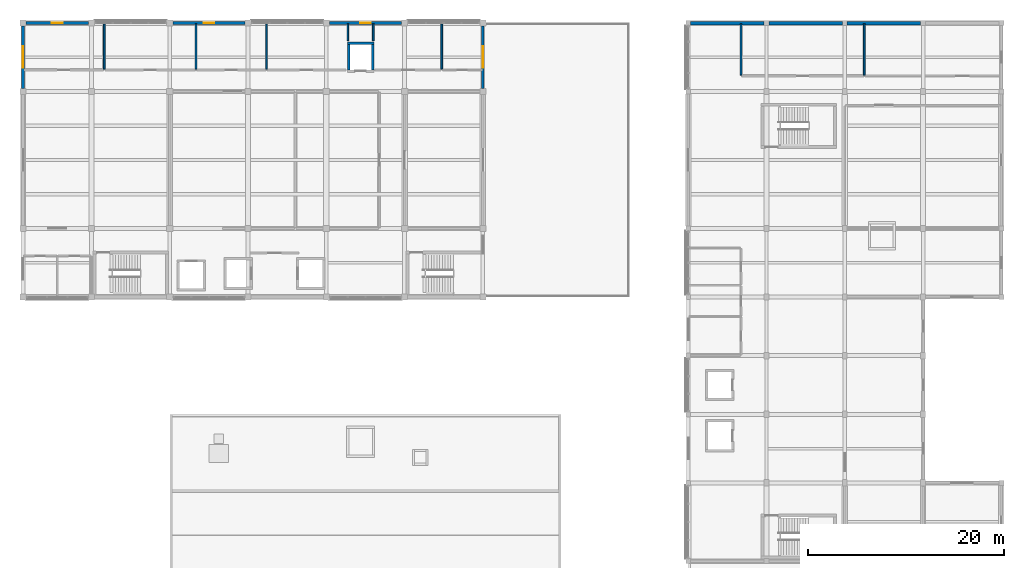
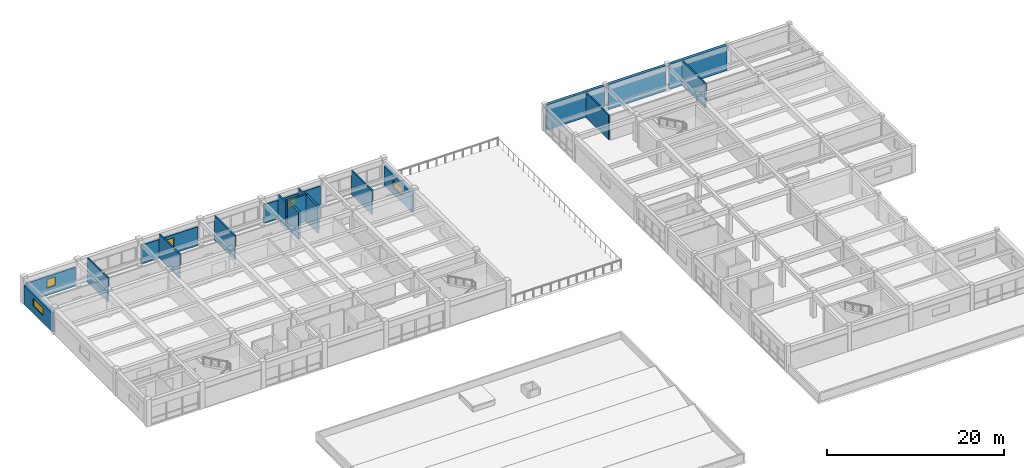
# One storey, part 15 of 22: 19 walls, 5 windows, 5 openings.
"""IFC4 building model written with IfcOpenShell, lengths in metres."""

import ifcopenshell
import ifcopenshell.guid

model = None  # the IFC model being written
_history = None  # IfcOwnerHistory: only IFC2X3 demands one
_inside = {}  # id of a spatial element -> (the spatial element, [elements in it])
_under = {}  # id of a project, library or spatial element -> (it, [spatial elements below it])
_declared = {}  # id of a project -> (the project, [libraries it declares])
_typed = {}  # id of a type object -> (the type object, [elements of that type])
_made_of = {}  # id of a material, layer set ... -> (it, [elements and type objects made of it])


def new_model(schema):
    """Start an empty IFC model of exactly this schema.

    Asked for "IFC4X3", IfcOpenShell would pick the latest addendum, in which some entities
    have other attributes; the version numbers below select the first issue.
    IFC2X3 requires an IfcOwnerHistory on every rooted entity: one is made here for all.
    """
    global model, _history
    if schema == "IFC4X3":
        model = ifcopenshell.file(schema_version=(4, 3, 0, 0))
    else:
        model = ifcopenshell.file(schema=schema)
    _inside.clear()
    _under.clear()
    _declared.clear()
    _typed.clear()
    _made_of.clear()
    _history = None
    if model.schema == "IFC2X3":
        org = make("IfcOrganization", Name="unknown")
        user = make(
            "IfcPersonAndOrganization",
            ThePerson=make("IfcPerson", FamilyName="unknown"),
            TheOrganization=org,
        )
        app = make(
            "IfcApplication",
            ApplicationDeveloper=org,
            Version="unknown",
            ApplicationFullName="unknown",
            ApplicationIdentifier="unknown",
        )
        _history = make(
            "IfcOwnerHistory",
            OwningUser=user,
            OwningApplication=app,
            ChangeAction="ADDED",
            CreationDate=0,
        )
    return model


def make(cls, **values):
    """One entity of the class cls with the attributes given. An attribute that is None is left unset."""
    return model.create_entity(
        cls, **{name: value for name, value in values.items() if value is not None}
    )


def rooted(cls, **values):
    """An entity with a GlobalId (a new one), such as an element, a storey or a relation."""
    return make(cls, GlobalId=ifcopenshell.guid.new(), OwnerHistory=_history, **values)


def si_unit(unit_type, name, prefix=None):
    """IfcSIUnit, for example si_unit("LENGTHUNIT", "METRE", prefix="MILLI")."""
    return make("IfcSIUnit", UnitType=unit_type, Prefix=prefix, Name=name)


def assignment(units):
    """IfcUnitAssignment: the units of a project."""
    return None if units is None else make("IfcUnitAssignment", Units=units)


def point(xyz):
    """IfcCartesianPoint."""
    return None if xyz is None else make("IfcCartesianPoint", Coordinates=xyz)


def direction(xyz):
    """IfcDirection."""
    return None if xyz is None else make("IfcDirection", DirectionRatios=xyz)


def frame(location, z_axis=None, x_axis=None):
    """IfcAxis2Placement3D, a coordinate frame: its origin and axes. An axis left out is left unset."""
    return make(
        "IfcAxis2Placement3D",
        Location=point(location),
        Axis=direction(z_axis),
        RefDirection=direction(x_axis),
    )


def frame_2d(location, x_axis=None):
    """IfcAxis2Placement2D, a coordinate frame in the plane: its origin and x axis."""
    return make(
        "IfcAxis2Placement2D", Location=point(location), RefDirection=direction(x_axis)
    )


def origin():
    """The frame at (0, 0, 0) with its axes left unset."""
    return frame((0.0, 0.0, 0.0))


def place(relative_to, where):
    """IfcLocalPlacement: puts the frame where relative to a parent placement (None: the world)."""
    return make(
        "IfcLocalPlacement", PlacementRelTo=relative_to, RelativePlacement=where
    )


def context(
    kind, dimensions, precision=None, world=None, true_north=None, identifier=None
):
    """IfcGeometricRepresentationContext, for example the 3D "Model" context."""
    return make(
        "IfcGeometricRepresentationContext",
        ContextIdentifier=identifier,
        ContextType=kind,
        CoordinateSpaceDimension=dimensions,
        Precision=precision,
        WorldCoordinateSystem=world,
        TrueNorth=true_north,
    )


def subcontext(parent, identifier, kind, view, scale=None):
    """IfcGeometricRepresentationSubContext, for example "Body" below "Model"."""
    return make(
        "IfcGeometricRepresentationSubContext",
        ContextIdentifier=identifier,
        ContextType=kind,
        ParentContext=parent,
        TargetScale=scale,
        TargetView=view,
    )


def project(units=None, contexts=None):
    """IfcProject with its units and contexts."""
    return rooted(
        "IfcProject",
        Name="project",
        RepresentationContexts=contexts,
        UnitsInContext=assignment(units),
    )


def spatial(cls, under=None, at=None, **own):
    """A site, building, storey or space (cls), placed at a placement, below another one or the project."""
    s = rooted(cls, ObjectPlacement=at, **own)
    if under is not None:
        _under.setdefault(under.id(), (under, []))[1].append(s)
    return s


def profile(cls, at=None, kind="AREA", **sizes):
    """A parametric profile (cls). Its sizes go by their IFC names, for example OverallWidth=200.0."""
    return make(cls, ProfileType=kind, Position=at, **sizes)


def rectangle(**sizes):
    """IfcRectangleProfileDef."""
    return profile("IfcRectangleProfileDef", **sizes)


def extrude(swept, where, along, depth):
    """IfcExtrudedAreaSolid: the profile swept, set in the frame where, extruded along a direction by depth."""
    return make(
        "IfcExtrudedAreaSolid",
        SweptArea=swept,
        Position=where,
        ExtrudedDirection=direction(along),
        Depth=depth,
    )


def shape(context_of_items, identifier, shape_type, items):
    """IfcShapeRepresentation: the items that make up one representation, for example the "Body"."""
    return make(
        "IfcShapeRepresentation",
        ContextOfItems=context_of_items,
        RepresentationIdentifier=identifier,
        RepresentationType=shape_type,
        Items=items,
    )


def material(Name=None, Category=None):
    """IfcMaterial."""
    return make("IfcMaterial", Name=Name, Category=Category)


def layer(
    of_material, thickness, ventilated=None, Name=None, Category=None, Priority=None
):
    """IfcMaterialLayer: one layer of a wall or slab, of a material (None: an air gap)."""
    return make(
        "IfcMaterialLayer",
        Material=of_material,
        LayerThickness=thickness,
        IsVentilated=ventilated,
        Name=Name,
        Category=Category,
        Priority=Priority,
    )


def layer_set(layers, Name=None):
    """IfcMaterialLayerSet."""
    return make("IfcMaterialLayerSet", MaterialLayers=layers, LayerSetName=Name)


def made_of(thing, what):
    """Note that an element or type object is made of a material, layer set ...; save() writes the relation."""
    if what is not None:
        _made_of.setdefault(what.id(), (what, []))[1].append(thing)
    return thing


def type_object(cls, material=None, **own):
    """A type object (cls), such as IfcWallType, which elements share."""
    return made_of(rooted(cls, **own), material)


def element(
    cls,
    number,
    at=None,
    inside=None,
    cuts=None,
    type_object=None,
    material=None,
    context=None,
    identifier="Body",
    shape_type=None,
    held_by="IfcProductDefinitionShape",
    body=None,
    shapes=None,
    **own,
):
    """One element of the class cls, such as IfcWall. Its Tag is "e" and its number.

    at: its placement. inside: the storey or other place that contains it. cuts: it is an
    opening in that element (IfcRelVoidsElement). A single representation is given by context,
    identifier, shape_type and body (its items); several are given by shapes. held_by: the class
    of the entity that holds the representations. save() writes the other relations.
    """
    e = rooted(cls, Tag="e%d" % number, ObjectPlacement=at, **own)
    if body is not None:
        shapes = [shape(context, identifier, shape_type, body)]
    if shapes is not None:
        e.Representation = make(held_by, Representations=shapes)
    if inside is not None:
        _inside.setdefault(inside.id(), (inside, []))[1].append(e)
    if cuts is not None:
        rooted(
            "IfcRelVoidsElement", RelatingBuildingElement=cuts, RelatedOpeningElement=e
        )
    if type_object is not None:
        _typed.setdefault(type_object.id(), (type_object, []))[1].append(e)
    return made_of(e, material)


def fill(opening, filler):
    """IfcRelFillsElement: the door or window that sits in an opening."""
    return rooted(
        "IfcRelFillsElement",
        RelatingOpeningElement=opening,
        RelatedBuildingElement=filler,
    )


def aggregate(whole, parts):
    """IfcRelAggregates: a whole, such as a stair, and the parts it consists of."""
    return rooted("IfcRelAggregates", RelatingObject=whole, RelatedObjects=parts)


def save(model, path):
    """Write the relations noted so far, then the file.

    IfcRelAggregates (storeys below a building ...), IfcRelContainedInSpatialStructure (elements
    in a storey), IfcRelDefinesByType, IfcRelAssociatesMaterial and IfcRelDeclares: one each for
    every whole, place, type object, material and project.
    """
    for whole, parts in _under.values():
        aggregate(whole, parts)
    for where, things in _inside.values():
        rooted(
            "IfcRelContainedInSpatialStructure",
            RelatedElements=things,
            RelatingStructure=where,
        )
    for kind, things in _typed.values():
        rooted("IfcRelDefinesByType", RelatedObjects=things, RelatingType=kind)
    for what, things in _made_of.values():
        rooted("IfcRelAssociatesMaterial", RelatedObjects=things, RelatingMaterial=what)
    for by, libraries in _declared.values():
        rooted("IfcRelDeclares", RelatingContext=by, RelatedDefinitions=libraries)
    model.write(path)


model = new_model("IFC4")

# Units and contexts
model_context = context("Model", 3, precision=1e-05, world=origin(), true_north=direction((0.0, 1.0)))
body_context = subcontext(model_context, "Body", "Model", "MODEL_VIEW")
ifc_project = project(units=[si_unit("LENGTHUNIT", "METRE"), si_unit("AREAUNIT", "SQUARE_METRE"), si_unit("VOLUMEUNIT", "CUBIC_METRE"), si_unit("PLANEANGLEUNIT", "RADIAN"), si_unit("MASSUNIT", "GRAM", prefix="KILO")], contexts=[model_context])

# Site, building, storey
site_placement = place(None, origin())
site = spatial("IfcSite", under=ifc_project, at=site_placement, CompositionType="ELEMENT")
building_placement = place(site_placement, origin())
building = spatial("IfcBuilding", under=site, at=building_placement, Name="Naurynzar Civic Courthouse", CompositionType="ELEMENT")
storey_placement = place(building_placement, frame((0.0, 0.0, 25.800048828125)))
storey = spatial("IfcBuildingStorey", under=building, at=storey_placement, Name="L07", CompositionType="ELEMENT", Elevation=25.800048828125)

# Wall, opening, window
ifc_material_1 = material(Name="Precast concrete C40/50", Category="concrete")
ifc_layer_1 = layer(ifc_material_1, 0.280029296875)
ifc_layer_set_1 = layer_set([ifc_layer_1], Name="WL-EXT-280")
wall_type_1 = type_object("IfcWallType", Name="WL-EXT-280", PredefinedType="SOLIDWALL", material=ifc_layer_set_1)
wall_1_placement = place(storey_placement, frame((62.0, 65.3125, 0.0), z_axis=(0.0, 0.0, 1.0), x_axis=(0.0, 1.0, 0.0)))
wall_1 = element("IfcWall", 1, at=wall_1_placement, inside=storey, type_object=wall_type_1, Name="V2 exterior wall west L07.3.1", PredefinedType="SOLIDWALL", context=body_context, shape_type="SweptSolid", body=[
    extrude(rectangle(XDim=6.375, YDim=0.280029296875, at=frame_2d((3.1875, 0.0))), origin(), (0.0, 0.0, 1.0), 2.599853515625),
])
opening_1_placement = place(wall_1_placement, frame((2.10791015625, 0.0, 1.0)))
opening_1 = element("IfcOpeningElement", 2, at=opening_1_placement, cuts=wall_1, Name="Opening WN-18", PredefinedType="OPENING", context=body_context, shape_type="SweptSolid", body=[
    extrude(rectangle(XDim=2.199951171875, YDim=1.0, at=frame_2d((1.10009765625, 0.5))), frame((0.0, 0.14990234375, 0.0), z_axis=(0.0, -1.0, 0.0), x_axis=(1.0, 0.0, 0.0)), (0.0, 0.0, 1.0), 0.300048828125),
])
ifc_material_2 = material(Name="Tempered Laminated Low-E Glass", Category="glass")
window_type_1 = type_object("IfcWindowType", Name="WIN-CLER-2200x1000", PartitioningType="DOUBLE_PANEL_VERTICAL", PredefinedType="WINDOW", material=ifc_material_2)
window_1_placement = place(opening_1_placement, origin())
window_1 = element("IfcWindow", 3, at=window_1_placement, inside=storey, type_object=window_type_1, Name="V2 window 108 L07", OverallHeight=1.0, OverallWidth=2.199951171875, PartitioningType="SINGLE_PANEL", PredefinedType="WINDOW", context=body_context, shape_type="SweptSolid", body=[
    extrude(rectangle(XDim=2.199951171875, YDim=1.0, at=frame_2d((1.10009765625, 0.5))), frame((0.0, 0.030029296875, 0.0), z_axis=(0.0, -1.0, 0.0), x_axis=(1.0, 0.0, 0.0)), (0.0, 0.0, 1.0), 0.06005859375),
])
fill(opening_1, window_1)

wall_2_placement = place(storey_placement, frame((62.3125, 72.0, 0.0), z_axis=(0.0, 0.0, 1.0), x_axis=(1.0, 0.0, 0.0)))
wall_2 = element("IfcWall", 4, at=wall_2_placement, inside=storey, type_object=wall_type_1, Name="V2 exterior wall north L07.1.1", PredefinedType="SOLIDWALL", context=body_context, shape_type="SweptSolid", body=[
    extrude(rectangle(XDim=6.375, YDim=0.280029296875, at=frame_2d((3.1875, 0.0))), origin(), (0.0, 0.0, 1.0), 2.599853515625),
])
opening_2_placement = place(wall_2_placement, frame((2.637451171875, 0.0, 1.0)))
opening_2 = element("IfcOpeningElement", 5, at=opening_2_placement, cuts=wall_2, Name="Opening WN-15", PredefinedType="OPENING", context=body_context, shape_type="SweptSolid", body=[
    extrude(rectangle(XDim=1.10009765625, YDim=1.199951171875, at=frame_2d((0.550048828125, 0.60009765625))), frame((0.0, 0.14990234375, 0.0), z_axis=(0.0, -1.0, 0.0), x_axis=(1.0, 0.0, 0.0)), (0.0, 0.0, 1.0), 0.300048828125),
])
ifc_material_3 = material(Name="Tempered Laminated Low-E Glass", Category="glass")
window_type_2 = type_object("IfcWindowType", Name="WIN-SEC-1100x1200", PartitioningType="SINGLE_PANEL", PredefinedType="WINDOW", material=ifc_material_3)
window_2_placement = place(opening_2_placement, origin())
window_2 = element("IfcWindow", 6, at=window_2_placement, inside=storey, type_object=window_type_2, Name="V2 window 109 L07", OverallHeight=1.199951171875, OverallWidth=1.10009765625, PartitioningType="SINGLE_PANEL", PredefinedType="WINDOW", context=body_context, shape_type="SweptSolid", body=[
    extrude(rectangle(XDim=1.10009765625, YDim=1.199951171875, at=frame_2d((0.550048828125, 0.60009765625))), frame((0.0, 0.030029296875, 0.0), z_axis=(0.0, -1.0, 0.0), x_axis=(1.0, 0.0, 0.0)), (0.0, 0.0, 1.0), 0.06005859375),
])
fill(opening_2, window_2)

wall_3_placement = place(storey_placement, frame((77.3125, 72.0, 0.0), z_axis=(0.0, 0.0, 1.0), x_axis=(1.0, 0.0, 0.0)))
wall_3 = element("IfcWall", 7, at=wall_3_placement, inside=storey, type_object=wall_type_1, Name="V2 exterior wall north L07.3.1", PredefinedType="SOLIDWALL", context=body_context, shape_type="SweptSolid", body=[
    extrude(rectangle(XDim=7.375, YDim=0.280029296875, at=frame_2d((3.6875, 0.0))), origin(), (0.0, 0.0, 1.0), 2.599853515625),
])
opening_3_placement = place(wall_3_placement, frame((3.137451171875, 0.0, 1.0)))
opening_3 = element("IfcOpeningElement", 8, at=opening_3_placement, cuts=wall_3, Name="Opening WN-15", PredefinedType="OPENING", context=body_context, shape_type="SweptSolid", body=[
    extrude(rectangle(XDim=1.10009765625, YDim=1.199951171875, at=frame_2d((0.550048828125, 0.60009765625))), frame((0.0, 0.14990234375, 0.0), z_axis=(0.0, -1.0, 0.0), x_axis=(1.0, 0.0, 0.0)), (0.0, 0.0, 1.0), 0.300048828125),
])
window_3_placement = place(opening_3_placement, origin())
window_3 = element("IfcWindow", 9, at=window_3_placement, inside=storey, type_object=window_type_2, Name="V2 window 110 L07", OverallHeight=1.199951171875, OverallWidth=1.10009765625, PartitioningType="SINGLE_PANEL", PredefinedType="WINDOW", context=body_context, shape_type="SweptSolid", body=[
    extrude(rectangle(XDim=1.10009765625, YDim=1.199951171875, at=frame_2d((0.550048828125, 0.60009765625))), frame((0.0, 0.030029296875, 0.0), z_axis=(0.0, -1.0, 0.0), x_axis=(1.0, 0.0, 0.0)), (0.0, 0.0, 1.0), 0.06005859375),
])
fill(opening_3, window_3)

wall_4_placement = place(storey_placement, frame((93.3125, 72.0, 0.0), z_axis=(0.0, 0.0, 1.0), x_axis=(1.0, 0.0, 0.0)))
wall_4 = element("IfcWall", 10, at=wall_4_placement, inside=storey, type_object=wall_type_1, Name="V2 exterior wall north L07.5.1", PredefinedType="SOLIDWALL", context=body_context, shape_type="SweptSolid", body=[
    extrude(rectangle(XDim=7.375, YDim=0.280029296875, at=frame_2d((3.6875, 0.0))), origin(), (0.0, 0.0, 1.0), 2.599853515625),
])
opening_4_placement = place(wall_4_placement, frame((3.137451171875, 0.0, 1.0)))
opening_4 = element("IfcOpeningElement", 11, at=opening_4_placement, cuts=wall_4, Name="Opening WN-15", PredefinedType="OPENING", context=body_context, shape_type="SweptSolid", body=[
    extrude(rectangle(XDim=1.10009765625, YDim=1.199951171875, at=frame_2d((0.550048828125, 0.60009765625))), frame((0.0, 0.14990234375, 0.0), z_axis=(0.0, -1.0, 0.0), x_axis=(1.0, 0.0, 0.0)), (0.0, 0.0, 1.0), 0.300048828125),
])
window_4_placement = place(opening_4_placement, origin())
window_4 = element("IfcWindow", 12, at=window_4_placement, inside=storey, type_object=window_type_2, Name="V2 window 111 L07", OverallHeight=1.199951171875, OverallWidth=1.10009765625, PartitioningType="SINGLE_PANEL", PredefinedType="WINDOW", context=body_context, shape_type="SweptSolid", body=[
    extrude(rectangle(XDim=1.10009765625, YDim=1.199951171875, at=frame_2d((0.550048828125, 0.60009765625))), frame((0.0, 0.030029296875, 0.0), z_axis=(0.0, -1.0, 0.0), x_axis=(1.0, 0.0, 0.0)), (0.0, 0.0, 1.0), 0.06005859375),
])
fill(opening_4, window_4)

wall_5_placement = place(storey_placement, frame((109.0, 71.6875, 0.0), z_axis=(0.0, 0.0, 1.0), x_axis=(0.0, -1.0, 0.0)))
wall_5 = element("IfcWall", 13, at=wall_5_placement, inside=storey, type_object=wall_type_1, Name="V2 exterior wall east L07.1.1", PredefinedType="SOLIDWALL", context=body_context, shape_type="SweptSolid", body=[
    extrude(rectangle(XDim=6.375, YDim=0.280029296875, at=frame_2d((3.1875, 0.0))), origin(), (0.0, 0.0, 1.0), 2.599853515625),
])
opening_5_placement = place(wall_5_placement, frame((2.06689453125, 0.0, 1.0)))
opening_5 = element("IfcOpeningElement", 14, at=opening_5_placement, cuts=wall_5, Name="Opening WN-18", PredefinedType="OPENING", context=body_context, shape_type="SweptSolid", body=[
    extrude(rectangle(XDim=2.199951171875, YDim=1.0, at=frame_2d((1.10009765625, 0.5))), frame((0.0, 0.14990234375, 0.0), z_axis=(0.0, -1.0, 0.0), x_axis=(1.0, 0.0, 0.0)), (0.0, 0.0, 1.0), 0.300048828125),
])
window_5_placement = place(opening_5_placement, origin())
window_5 = element("IfcWindow", 15, at=window_5_placement, inside=storey, type_object=window_type_1, Name="V2 window 112 L07", OverallHeight=1.0, OverallWidth=2.199951171875, PartitioningType="SINGLE_PANEL", PredefinedType="WINDOW", context=body_context, shape_type="SweptSolid", body=[
    extrude(rectangle(XDim=2.199951171875, YDim=1.0, at=frame_2d((1.10009765625, 0.5))), frame((0.0, 0.030029296875, 0.0), z_axis=(0.0, -1.0, 0.0), x_axis=(1.0, 0.0, 0.0)), (0.0, 0.0, 1.0), 0.06005859375),
])
fill(opening_5, window_5)

# Walls
ifc_material_4 = material(Name="Insulated Metal-Stud Gypsum Partition")
ifc_layer_2 = layer(ifc_material_4, 0.159912109375)
ifc_layer_set_2 = layer_set([ifc_layer_2], Name="WL-PART-CHAMB-160")
wall_type_2 = type_object("IfcWallType", Name="WL-PART-CHAMB-160", PredefinedType="PARTITIONING", material=ifc_layer_set_2)
for number, where, z_axis, x_axis, name in (
    (16, (79.679931640625, 67.280029296875, 0.0), (0.0, 0.0, 1.0), (0.0, 1.0, 0.0), "V2 interior partition L07.748"),
    (17, (86.89990234375, 67.280029296875, 0.0), (0.0, 0.0, 1.0), (0.0, 1.0, 0.0), "V2 interior partition L07.749"),
):
    element("IfcWall", number, at=place(storey_placement, frame(where, z_axis=z_axis, x_axis=x_axis)), inside=storey, type_object=wall_type_2, Name=name, PredefinedType="PARTITIONING", context=body_context, shape_type="SweptSolid", body=[
        extrude(rectangle(XDim=4.639892578125, YDim=0.159912109375, at=frame_2d((2.31982421875, 0.0))), origin(), (0.0, 0.0, 1.0), 3.389892578125),
    ])
for number, where, z_axis, x_axis, name in (
    (18, (95.199951171875, 70.199951171875, 0.0), (0.0, 0.0, 1.0), (0.0, 1.0, 0.0), "V2 interior partition L07.751"),
    (19, (97.800048828125, 70.199951171875, 0.0), (0.0, 0.0, 1.0), (0.0, 1.0, 0.0), "V2 interior partition L07.752"),
):
    element("IfcWall", number, at=place(storey_placement, frame(where, z_axis=z_axis, x_axis=x_axis)), inside=storey, type_object=wall_type_2, Name=name, PredefinedType="PARTITIONING", context=body_context, shape_type="SweptSolid", body=[
        extrude(rectangle(XDim=1.719970703125, YDim=0.159912109375, at=frame_2d((0.85986328125, 0.0))), origin(), (0.0, 0.0, 1.0), 3.389892578125),
    ])
wall_6_placement = place(storey_placement, frame((104.800048828125, 67.280029296875, 0.0), z_axis=(0.0, 0.0, 1.0), x_axis=(0.0, 1.0, 0.0)))
element("IfcWall", 20, at=wall_6_placement, inside=storey, type_object=wall_type_2, Name="V2 interior partition L07.755", PredefinedType="PARTITIONING", context=body_context, shape_type="SweptSolid", body=[
    extrude(rectangle(XDim=4.639892578125, YDim=0.159912109375, at=frame_2d((2.31982421875, 0.0))), origin(), (0.0, 0.0, 1.0), 3.389892578125),
])
ifc_material_5 = material(Name="Acoustic Double-Stud Gypsum Partition")
ifc_layer_3 = layer(ifc_material_5, 0.179931640625)
ifc_layer_set_3 = layer_set([ifc_layer_3], Name="WL-PART-JURY-180")
wall_type_3 = type_object("IfcWallType", Name="WL-PART-JURY-180", PredefinedType="PARTITIONING", material=ifc_layer_set_3)
wall_7_placement = place(storey_placement, frame((70.300048828125, 67.280029296875, 0.0), z_axis=(0.0, 0.0, 1.0), x_axis=(0.0, 1.0, 0.0)))
element("IfcWall", 21, at=wall_7_placement, inside=storey, type_object=wall_type_3, Name="V2 interior partition L07.746", PredefinedType="PARTITIONING", context=body_context, shape_type="SweptSolid", body=[
    extrude(rectangle(XDim=4.639892578125, YDim=0.179931640625, at=frame_2d((2.31982421875, 0.0))), origin(), (0.0, 0.0, 1.0), 3.389892578125),
])
for number, where, z_axis, x_axis, name in (
    (22, (135.39990234375, 66.679931640625, 0.0), (0.0, 0.0, 1.0), (0.0, 1.0, 0.0), "V5 interior partition L07.759"),
    (23, (148.0, 66.679931640625, 0.0), (0.0, 0.0, 1.0), (0.0, 1.0, 0.0), "V5 interior partition L07.762"),
):
    element("IfcWall", number, at=place(storey_placement, frame(where, z_axis=z_axis, x_axis=x_axis)), inside=storey, type_object=wall_type_3, Name=name, PredefinedType="PARTITIONING", context=body_context, shape_type="SweptSolid", body=[
        extrude(rectangle(XDim=5.239990234375, YDim=0.179931640625, at=frame_2d((2.6201171875, 0.0))), origin(), (0.0, 0.0, 1.0), 3.389892578125),
    ])
ifc_material_6 = material(Name="Concrete C40/50", Category="concrete")
ifc_layer_4 = layer(ifc_material_6, 0.360107421875)
ifc_layer_set_4 = layer_set([ifc_layer_4], Name="WL-PARTY-360")
wall_type_4 = type_object("IfcWallType", Name="WL-PARTY-360", PredefinedType="SOLIDWALL", material=ifc_layer_set_4)
for number, where, z_axis, x_axis, name in (
    (24, (130.25, 72.0, 0.0), (0.0, 0.0, 1.0), (1.0, 0.0, 0.0), "V5 solid seismic party wall L07 1"),
    (25, (138.25, 72.0, 0.0), (0.0, 0.0, 1.0), (1.0, 0.0, 0.0), "V5 solid seismic party wall L07 2"),
    (26, (146.25, 72.0, 0.0), (0.0, 0.0, 1.0), (1.0, 0.0, 0.0), "V5 solid seismic party wall L07 3"),
):
    element("IfcWall", number, at=place(storey_placement, frame(where, z_axis=z_axis, x_axis=x_axis)), inside=storey, type_object=wall_type_4, Name=name, PredefinedType="SOLIDWALL", context=body_context, shape_type="SweptSolid", body=[
        extrude(rectangle(XDim=7.5, YDim=0.360107421875, at=frame_2d((3.75, 0.0))), origin(), (0.0, 0.0, 1.0), 3.469970703125),
    ])
ifc_material_7 = material(Name="Concrete C40/50", Category="concrete")
ifc_layer_5 = layer(ifc_material_7, 0.25)
ifc_layer_set_5 = layer_set([ifc_layer_5], Name="WL-SHAFT-250")
wall_type_5 = type_object("IfcWallType", Name="WL-SHAFT-250", PredefinedType="SHEAR", material=ifc_layer_set_5)
wall_8_placement = place(storey_placement, frame((97.85009765625, 69.925048828125, 0.0), z_axis=(0.0, 0.0, 1.0), x_axis=(-1.0, 0.0, 0.0)))
element("IfcWall", 27, at=wall_8_placement, inside=storey, type_object=wall_type_5, Name="Lift LJ-02 shaft wall north L07", PredefinedType="SHEAR", context=body_context, shape_type="SweptSolid", body=[
    extrude(rectangle(XDim=2.7001953125, YDim=0.25, at=frame_2d((1.35009765625, 0.0))), origin(), (0.0, 0.0, 1.0), 3.75),
])
for number, where, z_axis, x_axis, name in (
    (28, (95.27490234375, 69.794921875, 0.0), (0.0, 0.0, 1.0), (0.0, -1.0, 0.0), "Lift LJ-02 shaft wall west L07"),
    (29, (97.72509765625, 67.205078125, 0.0), (0.0, 0.0, 1.0), (0.0, 1.0, 0.0), "Lift LJ-02 shaft wall east L07"),
):
    element("IfcWall", number, at=place(storey_placement, frame(where, z_axis=z_axis, x_axis=x_axis)), inside=storey, type_object=wall_type_5, Name=name, PredefinedType="SHEAR", context=body_context, shape_type="SweptSolid", body=[
        extrude(rectangle(XDim=2.58984375, YDim=0.25, at=frame_2d((1.294921875, 0.0))), origin(), (0.0, 0.0, 1.0), 3.75),
    ])

save(model, "model.ifc")
